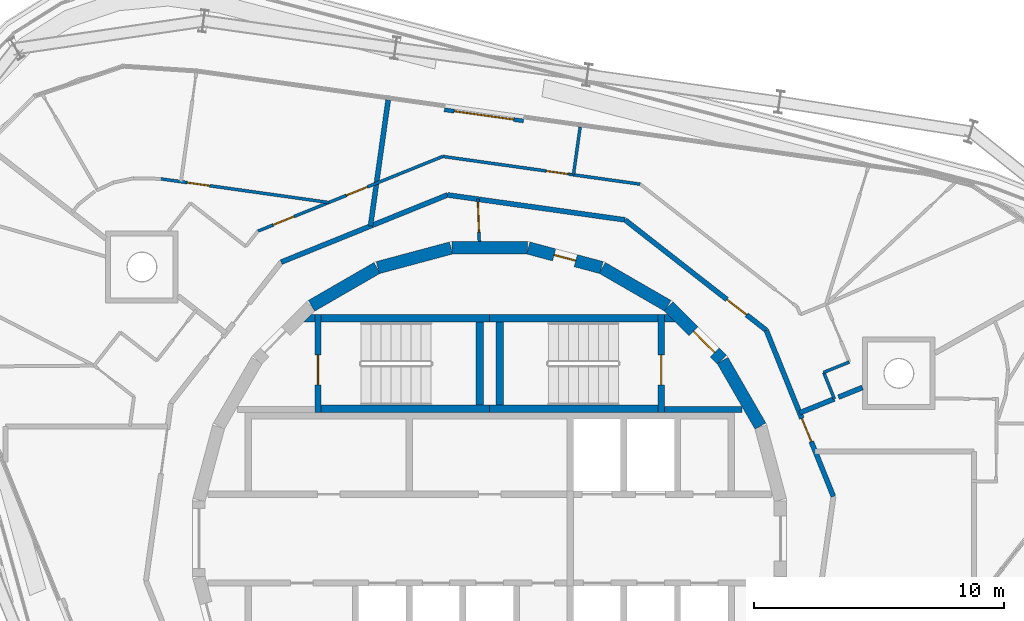
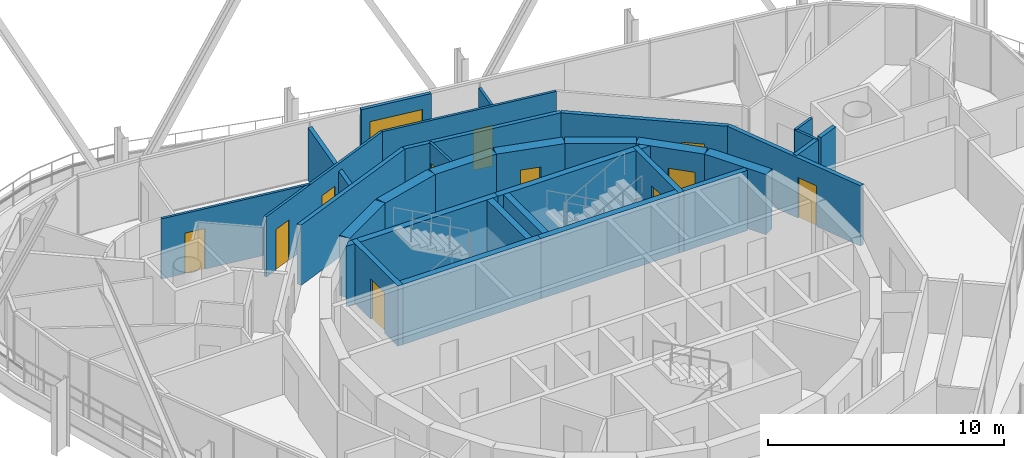
# One storey, part 13 of 17: 33 walls, 12 doors, 12 openings.
"""IFC4 building model written with IfcOpenShell, lengths in metres."""

from ifc_helpers import new_model, si_unit, direction, frame, frame_2d, origin, place, context, subcontext, project, spatial, polyline, rectangle, outline, extrude, material, layer, layer_set, type_object, element, fill, save


model = new_model("IFC4")

# Units and contexts
model_context = context("Model", 3, precision=1e-05, world=origin(), true_north=direction((0.0, 1.0)))
body_context = subcontext(model_context, "Body", "Model", "MODEL_VIEW")
ifc_project = project(units=[si_unit("LENGTHUNIT", "METRE"), si_unit("AREAUNIT", "SQUARE_METRE"), si_unit("VOLUMEUNIT", "CUBIC_METRE"), si_unit("PLANEANGLEUNIT", "RADIAN"), si_unit("MASSUNIT", "GRAM", prefix="KILO")], contexts=[model_context])

# Site, building, storey
site_placement = place(None, origin())
site = spatial("IfcSite", under=ifc_project, at=site_placement, CompositionType="ELEMENT")
building_placement = place(site_placement, origin())
building = spatial("IfcBuilding", under=site, at=building_placement, Name="Spindle Arch Residences", CompositionType="ELEMENT")
storey_placement = place(building_placement, frame((0.0, 0.0, 333.0)))
storey = spatial("IfcBuildingStorey", under=building, at=storey_placement, Name="L85", CompositionType="ELEMENT", Elevation=333.0)

# Wall
ifc_material_1 = material(Name="Concrete C50/60", Category="concrete")
ifc_layer_1 = layer(ifc_material_1, 0.5)
ifc_layer_set_1 = layer_set([ifc_layer_1], Name="Core outline wall 500")
wall_type_1 = type_object("IfcWallType", Name="Core outline wall 500", PredefinedType="SHEAR", material=ifc_layer_set_1)
wall_1_placement = place(storey_placement, frame((10.84521484375, 4.510498046875, 0.0), z_axis=(0.0, 0.0, 1.0), x_axis=(-0.500087131594, 0.865975092491, 0.0)))
element("IfcWall", 1, at=wall_1_placement, inside=storey, type_object=wall_type_1, Name="Core outline wall 8", PredefinedType="SHEAR", context=body_context, shape_type="SweptSolid", body=[
    extrude(rectangle(XDim=3.03271484375, YDim=0.5, at=frame_2d((1.516357421875, 0.0))), origin(), (0.0, 0.0, 1.0), 3.1201171875),
])

# Wall, opening, door
wall_2_placement = place(storey_placement, frame((9.30810546875, 7.163818359375, 0.0), z_axis=(0.0, 0.0, 1.0), x_axis=(-0.707106781187, 0.707106781187, 0.0)))
wall_2 = element("IfcWall", 2, at=wall_2_placement, inside=storey, type_object=wall_type_1, Name="Core outline wall 9", PredefinedType="SHEAR", context=body_context, shape_type="SweptSolid", body=[
    extrude(rectangle(XDim=3.032470703125, YDim=0.5, at=frame_2d((1.51611328125, 0.0))), origin(), (0.0, 0.0, 1.0), 3.1201171875),
])
opening_1_placement = place(wall_2_placement, frame((0.416259765625, 0.0, 0.0)))
opening_1 = element("IfcOpeningElement", 3, at=opening_1_placement, cuts=wall_2, Name="Opening R9A0-AD01", PredefinedType="OPENING", context=body_context, shape_type="SweptSolid", body=[
    extrude(rectangle(XDim=1.199951171875, YDim=2.10009765625, at=frame_2d((0.60009765625, 1.050048828125))), frame((0.0, 0.260009765625, 0.0), z_axis=(0.0, -1.0, 0.0), x_axis=(1.0, 0.0, 0.0)), (0.0, 0.0, 1.0), 0.52001953125),
])
ifc_material_2 = material(Name="Steel, fire-resisting door", Category="steel")
door_type_1 = type_object("IfcDoorType", Name="Stair airlock door 1200x2100", OperationType="SINGLE_SWING_LEFT", PredefinedType="DOOR", material=ifc_material_2)
door_1_placement = place(opening_1_placement, origin())
door_1 = element("IfcDoor", 4, at=door_1_placement, inside=storey, type_object=door_type_1, Name="Stair airlock door R9A0-AD01", OperationType="SINGLE_SWING_RIGHT", OverallHeight=2.10009765625, OverallWidth=1.199951171875, PredefinedType="DOOR", context=body_context, shape_type="SweptSolid", body=[
    extrude(rectangle(XDim=1.199951171875, YDim=2.10009765625, at=frame_2d((0.60009765625, 1.050048828125))), frame((0.0, 0.02490234375, 0.0), z_axis=(0.0, -1.0, 0.0), x_axis=(1.0, 0.0, 0.0)), (0.0, 0.0, 1.0), 0.050048828125),
])
fill(opening_1, door_1)

# Wall
wall_3_placement = place(storey_placement, frame((7.13671875, 9.32861328125, 0.0), z_axis=(0.0, 0.0, 1.0), x_axis=(-0.865975092491, 0.500087131594, 0.0)))
element("IfcWall", 5, at=wall_3_placement, inside=storey, type_object=wall_type_1, Name="Core outline wall 10", PredefinedType="SHEAR", context=body_context, shape_type="SweptSolid", body=[
    extrude(rectangle(XDim=3.03271484375, YDim=0.5, at=frame_2d((1.516357421875, 0.0))), origin(), (0.0, 0.0, 1.0), 3.1201171875),
])

# Wall, opening, door
wall_4_placement = place(storey_placement, frame((4.479248046875, 10.858154296875, 0.0), z_axis=(0.0, 0.0, 1.0), x_axis=(-0.965948410781, 0.258734743916, 0.0)))
wall_4 = element("IfcWall", 6, at=wall_4_placement, inside=storey, type_object=wall_type_1, Name="Core outline wall 11", PredefinedType="SHEAR", context=body_context, shape_type="SweptSolid", body=[
    extrude(rectangle(XDim=3.03271484375, YDim=0.5, at=frame_2d((1.516357421875, 0.0))), origin(), (0.0, 0.0, 1.0), 3.1201171875),
])
opening_2_placement = place(wall_4_placement, frame((1.066162109375, 0.0, 0.0)))
opening_2 = element("IfcOpeningElement", 7, at=opening_2_placement, cuts=wall_4, Name="Opening R9A0-WD11", PredefinedType="OPENING", context=body_context, shape_type="SweptSolid", body=[
    extrude(rectangle(XDim=0.89990234375, YDim=2.10009765625, at=frame_2d((0.449951171875, 1.050048828125))), frame((0.0, 0.260009765625, 0.0), z_axis=(0.0, -1.0, 0.0), x_axis=(1.0, 0.0, 0.0)), (0.0, 0.0, 1.0), 0.52001953125),
])
ifc_material_3 = material(Name="Steel, fire-resisting door", Category="steel")
door_type_2 = type_object("IfcDoorType", Name="Service room door 900x2100", OperationType="SINGLE_SWING_LEFT", PredefinedType="DOOR", material=ifc_material_3)
door_2_placement = place(opening_2_placement, origin())
door_2 = element("IfcDoor", 8, at=door_2_placement, inside=storey, type_object=door_type_2, Name="Service room door R9A0-WD11", OperationType="SINGLE_SWING_LEFT", OverallHeight=2.10009765625, OverallWidth=0.89990234375, PredefinedType="DOOR", context=body_context, shape_type="SweptSolid", body=[
    extrude(rectangle(XDim=0.89990234375, YDim=2.10009765625, at=frame_2d((0.449951171875, 1.050048828125))), frame((0.0, 0.02490234375, 0.0), z_axis=(0.0, -1.0, 0.0), x_axis=(1.0, 0.0, 0.0)), (0.0, 0.0, 1.0), 0.050048828125),
])
fill(opening_2, door_2)

# Walls
for number, where, z_axis, x_axis, name in (
    (9, (1.516357421875, 11.647216796875, 0.0), (0.0, 0.0, 1.0), (-1.0, 0.0, 0.0), "Core outline wall 12"),
    (10, (-1.5498046875, 11.642822265625, 0.0), (0.0, 0.0, 1.0), (-0.965948410781, -0.258734743916, 0.0), "Core outline wall 13"),
    (11, (-4.510498046875, 10.84521484375, 0.0), (0.0, 0.0, 1.0), (-0.865975092491, -0.500087131594, 0.0), "Core outline wall 14"),
):
    element("IfcWall", number, at=place(storey_placement, frame(where, z_axis=z_axis, x_axis=x_axis)), inside=storey, type_object=wall_type_1, Name=name, PredefinedType="SHEAR", context=body_context, shape_type="SweptSolid", body=[
        extrude(rectangle(XDim=3.03271484375, YDim=0.5, at=frame_2d((1.516357421875, 0.0))), origin(), (0.0, 0.0, 1.0), 3.1201171875),
    ])

# Wall, opening, door
ifc_material_4 = material(Name="Plasterboard on steel studs", Category="steel")
ifc_layer_2 = layer(ifc_material_4, 0.1201171875)
ifc_layer_set_2 = layer_set([ifc_layer_2], Name="Corridor division wall 120")
wall_type_2 = type_object("IfcWallType", Name="Corridor division wall 120", PredefinedType="PARTITIONING", material=ifc_layer_set_2)
wall_5_placement = place(storey_placement, frame((-0.474853515625, 13.598388671875, 0.0), z_axis=(0.0, 0.0, 1.0), x_axis=(0.034852521429, -0.999392466326, 0.0)))
wall_5 = element("IfcWall", 12, at=wall_5_placement, inside=storey, type_object=wall_type_2, Name="Corridor division wall R9A0-W001", PredefinedType="PARTITIONING", context=body_context, shape_type="SweptSolid", body=[
    extrude(rectangle(XDim=1.7021484375, YDim=0.1201171875, at=frame_2d((0.85107421875, 0.0))), origin(), (0.0, 0.0, 1.0), 3.1201171875),
])
opening_3_placement = place(wall_5_placement, frame((0.1201171875, 0.0, 0.0)))
opening_3 = element("IfcOpeningElement", 13, at=opening_3_placement, cuts=wall_5, Name="Opening R9A0-CD01", PredefinedType="OPENING", context=body_context, shape_type="SweptSolid", body=[
    extrude(rectangle(XDim=1.199951171875, YDim=2.10009765625, at=frame_2d((0.60009765625, 1.050048828125))), frame((0.0, 0.070068359375, 0.0), z_axis=(0.0, -1.0, 0.0), x_axis=(1.0, 0.0, 0.0)), (0.0, 0.0, 1.0), 0.14013671875),
])
ifc_material_5 = material(Name="Steel, fire-resisting door", Category="steel")
door_type_3 = type_object("IfcDoorType", Name="Corridor division door 1200x2100", OperationType="NOTDEFINED", PredefinedType="DOOR", material=ifc_material_5)
door_3_placement = place(opening_3_placement, origin())
door_3 = element("IfcDoor", 14, at=door_3_placement, inside=storey, type_object=door_type_3, Name="Corridor division door R9A0-CD01", OperationType="DOUBLE_DOOR_SINGLE_SWING", OverallHeight=2.10009765625, OverallWidth=1.199951171875, PredefinedType="DOOR", context=body_context, shape_type="SweptSolid", body=[
    extrude(rectangle(XDim=1.199951171875, YDim=2.10009765625, at=frame_2d((0.60009765625, 1.050048828125))), frame((0.0, 0.02490234375, 0.0), z_axis=(0.0, -1.0, 0.0), x_axis=(1.0, 0.0, 0.0)), (0.0, 0.0, 1.0), 0.050048828125),
])
fill(opening_3, door_3)

ifc_material_6 = material(Name="Calcium silicate block, plastered")
ifc_layer_3 = layer(ifc_material_6, 0.199951171875)
ifc_layer_set_3 = layer_set([ifc_layer_3], Name="Corridor wall 200")
wall_type_3 = type_object("IfcWallType", Name="Corridor wall 200", PredefinedType="STANDARD", material=ifc_layer_set_3)
wall_6_placement = place(storey_placement, frame((11.0791015625, 8.348876953125, 0.0), z_axis=(0.0, 0.0, 1.0), x_axis=(-0.78800478687, 0.615669112324, 0.0)))
wall_6 = element("IfcWall", 15, at=wall_6_placement, inside=storey, type_object=wall_type_3, Name="Corridor wall R9A0-W006", PredefinedType="STANDARD", context=body_context, shape_type="SweptSolid", body=[
    extrude(rectangle(XDim=7.18115234375, YDim=0.199951171875, at=frame_2d((3.590576171875, 0.0))), origin(), (0.0, 0.0, 1.0), 3.1201171875),
])
opening_4_placement = place(wall_6_placement, frame((1.0, 0.0, 0.0)))
opening_4 = element("IfcOpeningElement", 16, at=opening_4_placement, cuts=wall_6, Name="Opening R9A0-FD02", PredefinedType="OPENING", context=body_context, shape_type="SweptSolid", body=[
    extrude(rectangle(XDim=1.0, YDim=2.10009765625, at=frame_2d((0.5, 1.050048828125))), frame((0.0, 0.10986328125, 0.0), z_axis=(0.0, -1.0, 0.0), x_axis=(1.0, 0.0, 0.0)), (0.0, 0.0, 1.0), 0.219970703125),
])
ifc_material_7 = material(Name="Timber, fire-resisting door set", Category="wood")
door_type_4 = type_object("IfcDoorType", Name="Flat entrance door 1000x2100", OperationType="NOTDEFINED", PredefinedType="DOOR", material=ifc_material_7)
door_4_placement = place(opening_4_placement, origin())
door_4 = element("IfcDoor", 17, at=door_4_placement, inside=storey, type_object=door_type_4, Name="Flat entrance door R9A0-FD02", OperationType="SINGLE_SWING_LEFT", OverallHeight=2.10009765625, OverallWidth=1.0, PredefinedType="DOOR", context=body_context, shape_type="SweptSolid", body=[
    extrude(rectangle(XDim=1.0, YDim=2.10009765625, at=frame_2d((0.5, 1.050048828125))), frame((0.0, 0.02490234375, 0.0), z_axis=(0.0, -1.0, 0.0), x_axis=(1.0, 0.0, 0.0)), (0.0, 0.0, 1.0), 0.050048828125),
])
fill(opening_4, door_4)

# Walls
wall_7_placement = place(storey_placement, frame((5.42041015625, 12.77001953125, 0.0), z_axis=(0.0, 0.0, 1.0), x_axis=(-0.990270565508, 0.139155334385, 0.0)))
element("IfcWall", 18, at=wall_7_placement, inside=storey, type_object=wall_type_3, Name="Corridor wall R9A0-W007", PredefinedType="STANDARD", context=body_context, shape_type="SweptSolid", body=[
    extrude(rectangle(XDim=7.180908203125, YDim=0.199951171875, at=frame_2d((3.59033203125, 0.0))), origin(), (0.0, 0.0, 1.0), 3.1201171875),
])
wall_8_placement = place(storey_placement, frame((-1.690673828125, 13.769287109375, 0.0), z_axis=(0.0, 0.0, 1.0), x_axis=(-0.92717916932, -0.374618189599, 0.0)))
element("IfcWall", 19, at=wall_8_placement, inside=storey, type_object=wall_type_3, Name="Corridor wall R9A0-W011", PredefinedType="STANDARD", context=body_context, shape_type="SweptSolid", body=[
    extrude(rectangle(XDim=7.18115234375, YDim=0.199951171875, at=frame_2d((3.590576171875, 0.0))), origin(), (0.0, 0.0, 1.0), 3.1201171875),
])

# Wall, opening, door
ifc_material_8 = material(Name="Calcium silicate block, plastered")
ifc_layer_4 = layer(ifc_material_8, 0.199951171875)
ifc_layer_set_4 = layer_set([ifc_layer_4], Name="Fire-lift lobby bay wall 200")
wall_type_4 = type_object("IfcWallType", Name="Fire-lift lobby bay wall 200", PredefinedType="STANDARD", material=ifc_layer_set_4)
wall_9_placement = place(storey_placement, frame((13.769287109375, 1.690673828125, 0.0), z_axis=(0.0, 0.0, 1.0), x_axis=(-0.374618189599, 0.92717916932, 0.0)))
wall_9 = element("IfcWall", 20, at=wall_9_placement, inside=storey, type_object=wall_type_4, Name="Fire-lift lobby bay wall R9A0-W005", PredefinedType="STANDARD", context=body_context, shape_type="SweptSolid", body=[
    extrude(rectangle(XDim=7.18115234375, YDim=0.199951171875, at=frame_2d((3.590576171875, 0.0))), origin(), (0.0, 0.0, 1.0), 3.1201171875),
])
opening_5_placement = place(wall_9_placement, frame((2.37060546875, 0.0, 0.0)))
opening_5 = element("IfcOpeningElement", 21, at=opening_5_placement, cuts=wall_9, Name="Opening R9A0-FD01", PredefinedType="OPENING", context=body_context, shape_type="SweptSolid", body=[
    extrude(rectangle(XDim=1.0, YDim=2.10009765625, at=frame_2d((0.5, 1.050048828125))), frame((0.0, 0.10986328125, 0.0), z_axis=(0.0, -1.0, 0.0), x_axis=(1.0, 0.0, 0.0)), (0.0, 0.0, 1.0), 0.219970703125),
])
door_5_placement = place(opening_5_placement, origin())
door_5 = element("IfcDoor", 22, at=door_5_placement, inside=storey, type_object=door_type_4, Name="Flat entrance door R9A0-FD01", OperationType="SINGLE_SWING_LEFT", OverallHeight=2.10009765625, OverallWidth=1.0, PredefinedType="DOOR", context=body_context, shape_type="SweptSolid", body=[
    extrude(rectangle(XDim=1.0, YDim=2.10009765625, at=frame_2d((0.5, 1.050048828125))), frame((0.0, 0.02490234375, 0.0), z_axis=(0.0, -1.0, 0.0), x_axis=(1.0, 0.0, 0.0)), (0.0, 0.0, 1.0), 0.050048828125),
])
fill(opening_5, door_5)

# Walls
ifc_material_9 = material(Name="Plasterboard on steel studs", Category="steel")
ifc_layer_5 = layer(ifc_material_9, 0.1201171875)
ifc_layer_set_5 = layer_set([ifc_layer_5], Name="Flat partition 120")
wall_type_5 = type_object("IfcWallType", Name="Flat partition 120", PredefinedType="PARTITIONING", material=ifc_layer_set_5)
wall_10_placement = place(storey_placement, frame((13.80712890625, 5.60107421875, 0.0), z_axis=(0.0, 0.0, 1.0), x_axis=(-0.374480699852, 0.927234708927, 0.0)))
element("IfcWall", 23, at=wall_10_placement, inside=storey, type_object=wall_type_5, Name="Flat partition R9A0-W041", PredefinedType="PARTITIONING", context=body_context, shape_type="SweptSolid", body=[
    extrude(rectangle(XDim=1.1435546875, YDim=0.1201171875, at=frame_2d((0.57177734375, 0.0))), origin(), (0.0, 0.0, 1.0), 3.1201171875),
])
wall_11_placement = place(storey_placement, frame((13.37890625, 6.661376953125, 0.0), z_axis=(0.0, 0.0, 1.0), x_axis=(0.927225655522, 0.374503115797, 0.0)))
element("IfcWall", 24, at=wall_11_placement, inside=storey, type_object=wall_type_5, Name="Flat partition R9A0-W042", PredefinedType="PARTITIONING", context=body_context, shape_type="SweptSolid", body=[
    extrude(rectangle(XDim=1.108154296875, YDim=0.1201171875, at=frame_2d((0.55419921875, 0.0))), origin(), (0.0, 0.0, 1.0), 3.1201171875),
])

# Wall, opening, door
wall_12_placement = place(storey_placement, frame((6.02734375, 14.199462890625, 0.0), z_axis=(0.0, 0.0, 1.0), x_axis=(-0.990271593532, 0.139148018469, 0.0)))
wall_12 = element("IfcWall", 25, at=wall_12_placement, inside=storey, type_object=wall_type_5, Name="Flat partition R9A0-W047", PredefinedType="PARTITIONING", context=body_context, shape_type="SweptSolid", body=[
    extrude(rectangle(XDim=7.98486328125, YDim=0.1201171875, at=frame_2d((3.992431640625, 0.0))), origin(), (0.0, 0.0, 1.0), 3.1201171875),
])
opening_6_placement = place(wall_12_placement, frame((2.898193359375, 0.0, 0.0)))
opening_6 = element("IfcOpeningElement", 26, at=opening_6_placement, cuts=wall_12, Name="Opening R9A0-ID06", PredefinedType="OPENING", context=body_context, shape_type="SweptSolid", body=[
    extrude(rectangle(XDim=0.89990234375, YDim=2.10009765625, at=frame_2d((0.449951171875, 1.050048828125))), frame((0.0, 0.070068359375, 0.0), z_axis=(0.0, -1.0, 0.0), x_axis=(1.0, 0.0, 0.0)), (0.0, 0.0, 1.0), 0.14013671875),
])
ifc_material_10 = material(Name="Timber door set", Category="wood")
door_type_5 = type_object("IfcDoorType", Name="Room door 900x2100", OperationType="NOTDEFINED", PredefinedType="DOOR", material=ifc_material_10)
door_6_placement = place(opening_6_placement, origin())
door_6 = element("IfcDoor", 27, at=door_6_placement, inside=storey, type_object=door_type_5, Name="Room door R9A0-ID06", OperationType="SINGLE_SWING_LEFT", OverallHeight=2.10009765625, OverallWidth=0.89990234375, PredefinedType="DOOR", context=body_context, shape_type="SweptSolid", body=[
    extrude(rectangle(XDim=0.89990234375, YDim=2.10009765625, at=frame_2d((0.449951171875, 1.050048828125))), frame((0.0, 0.02490234375, 0.0), z_axis=(0.0, -1.0, 0.0), x_axis=(1.0, 0.0, 0.0)), (0.0, 0.0, 1.0), 0.050048828125),
])
fill(opening_6, door_6)

# Wall, openings, doors
wall_13_placement = place(storey_placement, frame((-1.8798828125, 15.310546875, 0.0), z_axis=(0.0, 0.0, 1.0), x_axis=(-0.927184866592, -0.374604088557, 0.0)))
wall_13 = element("IfcWall", 28, at=wall_13_placement, inside=storey, type_object=wall_type_5, Name="Flat partition R9A0-W048", PredefinedType="PARTITIONING", context=body_context, shape_type="SweptSolid", body=[
    extrude(rectangle(XDim=7.985107421875, YDim=0.1201171875, at=frame_2d((3.99267578125, 0.0))), origin(), (0.0, 0.0, 1.0), 3.1201171875),
])
opening_7_placement = place(wall_13_placement, frame((3.26220703125, 0.0, 0.0)))
opening_7 = element("IfcOpeningElement", 29, at=opening_7_placement, cuts=wall_13, Name="Opening R9A0-ID08", PredefinedType="OPENING", context=body_context, shape_type="SweptSolid", body=[
    extrude(rectangle(XDim=0.89990234375, YDim=2.10009765625, at=frame_2d((0.449951171875, 1.050048828125))), frame((0.0, 0.070068359375, 0.0), z_axis=(0.0, -1.0, 0.0), x_axis=(1.0, 0.0, 0.0)), (0.0, 0.0, 1.0), 0.14013671875),
])
opening_8_placement = place(wall_13_placement, frame((6.423095703125, 0.0, 0.0)))
opening_8 = element("IfcOpeningElement", 30, at=opening_8_placement, cuts=wall_13, Name="Opening R9A0-ID09", PredefinedType="OPENING", context=body_context, shape_type="SweptSolid", body=[
    extrude(rectangle(XDim=0.89990234375, YDim=2.10009765625, at=frame_2d((0.449951171875, 1.050048828125))), frame((0.0, 0.070068359375, 0.0), z_axis=(0.0, -1.0, 0.0), x_axis=(1.0, 0.0, 0.0)), (0.0, 0.0, 1.0), 0.14013671875),
])
door_7_placement = place(opening_7_placement, origin())
door_7 = element("IfcDoor", 31, at=door_7_placement, inside=storey, type_object=door_type_5, Name="Room door R9A0-ID08", OperationType="SINGLE_SWING_RIGHT", OverallHeight=2.10009765625, OverallWidth=0.89990234375, PredefinedType="DOOR", context=body_context, shape_type="SweptSolid", body=[
    extrude(rectangle(XDim=0.89990234375, YDim=2.10009765625, at=frame_2d((0.449951171875, 1.050048828125))), frame((0.0, 0.02490234375, 0.0), z_axis=(0.0, -1.0, 0.0), x_axis=(1.0, 0.0, 0.0)), (0.0, 0.0, 1.0), 0.050048828125),
])
fill(opening_7, door_7)
door_8_placement = place(opening_8_placement, origin())
door_8 = element("IfcDoor", 32, at=door_8_placement, inside=storey, type_object=door_type_5, Name="Room door R9A0-ID09", OperationType="SINGLE_SWING_RIGHT", OverallHeight=2.10009765625, OverallWidth=0.89990234375, PredefinedType="DOOR", context=body_context, shape_type="SweptSolid", body=[
    extrude(rectangle(XDim=0.89990234375, YDim=2.10009765625, at=frame_2d((0.449951171875, 1.050048828125))), frame((0.0, 0.02490234375, 0.0), z_axis=(0.0, -1.0, 0.0), x_axis=(1.0, 0.0, 0.0)), (0.0, 0.0, 1.0), 0.050048828125),
])
fill(opening_8, door_8)

# Wall, opening, door
wall_14_placement = place(storey_placement, frame((-13.1748046875, 14.412353515625, 0.0), z_axis=(0.0, 0.0, 1.0), x_axis=(0.990264549393, -0.139198140128, 0.0)))
wall_14 = element("IfcWall", 33, at=wall_14_placement, inside=storey, type_object=wall_type_5, Name="Flat partition R9A0-W057", PredefinedType="PARTITIONING", context=body_context, shape_type="SweptSolid", body=[
    extrude(rectangle(XDim=6.79638671875, YDim=0.1201171875, at=frame_2d((3.398193359375, 0.0))), origin(), (0.0, 0.0, 1.0), 3.1201171875),
])
opening_9_placement = place(wall_14_placement, frame((1.075439453125, 0.0, 0.0)))
opening_9 = element("IfcOpeningElement", 34, at=opening_9_placement, cuts=wall_14, Name="Opening R9A0-ID11", PredefinedType="OPENING", context=body_context, shape_type="SweptSolid", body=[
    extrude(rectangle(XDim=0.89990234375, YDim=2.10009765625, at=frame_2d((0.449951171875, 1.050048828125))), frame((0.0, 0.070068359375, 0.0), z_axis=(0.0, -1.0, 0.0), x_axis=(1.0, 0.0, 0.0)), (0.0, 0.0, 1.0), 0.14013671875),
])
door_9_placement = place(opening_9_placement, origin())
door_9 = element("IfcDoor", 35, at=door_9_placement, inside=storey, type_object=door_type_5, Name="Room door R9A0-ID11", OperationType="SINGLE_SWING_LEFT", OverallHeight=2.10009765625, OverallWidth=0.89990234375, PredefinedType="DOOR", context=body_context, shape_type="SweptSolid", body=[
    extrude(rectangle(XDim=0.89990234375, YDim=2.10009765625, at=frame_2d((0.449951171875, 1.050048828125))), frame((0.0, 0.02490234375, 0.0), z_axis=(0.0, -1.0, 0.0), x_axis=(1.0, 0.0, 0.0)), (0.0, 0.0, 1.0), 0.050048828125),
])
fill(opening_9, door_9)

# Walls
ifc_material_11 = material(Name="Plasterboard on steel studs", Category="steel")
ifc_layer_6 = layer(ifc_material_11, 0.1201171875)
ifc_layer_set_6 = layer_set([ifc_layer_6], Name="Flat partition 120 under beam 2730")
wall_type_6 = type_object("IfcWallType", Name="Flat partition 120 under beam 2730", PredefinedType="PARTITIONING", material=ifc_layer_set_6)
wall_15_placement = place(storey_placement, frame((3.625, 16.494384765625, 0.0), z_axis=(0.0, 0.0, 1.0), x_axis=(-0.139181494832, -0.990266889023, 0.0)))
element("IfcWall", 36, at=wall_15_placement, inside=storey, type_object=wall_type_6, Name="Flat partition R9A0-W052", PredefinedType="PARTITIONING", context=body_context, shape_type="SweptSolid", body=[
    extrude(rectangle(XDim=1.938232421875, YDim=0.1201171875, at=frame_2d((0.96923828125, 0.0))), origin(), (0.0, 0.0, 1.0), 2.72998046875),
])
ifc_material_12 = material(Name="Calcium silicate block, plastered")
ifc_layer_7 = layer(ifc_material_12, 0.199951171875)
ifc_layer_set_7 = layer_set([ifc_layer_7], Name="Flat party wall 200")
wall_type_7 = type_object("IfcWallType", Name="Flat party wall 200", PredefinedType="STANDARD", material=ifc_layer_set_7)
wall_16_placement = place(storey_placement, frame((13.80712890625, 5.60107421875, 0.0), z_axis=(0.0, 0.0, 1.0), x_axis=(-0.927202702405, -0.374559939999, 0.0)))
element("IfcWall", 37, at=wall_16_placement, inside=storey, type_object=wall_type_7, Name="Flat party wall R9A0-W023", PredefinedType="STANDARD", context=body_context, shape_type="SweptSolid", body=[
    extrude(rectangle(XDim=1.499755859375, YDim=0.199951171875, at=frame_2d((0.75, 0.0))), origin(), (0.0, 0.0, 1.0), 3.1201171875),
])
wall_17_placement = place(storey_placement, frame((14.93359375, 6.05615234375, 0.0), z_axis=(0.0, 0.0, 1.0), x_axis=(-0.927219802432, -0.374517607032, 0.0)))
element("IfcWall", 38, at=wall_17_placement, inside=storey, type_object=wall_type_7, Name="Flat party wall R9A0-W024", PredefinedType="STANDARD", context=body_context, shape_type="SweptSolid", body=[
    extrude(rectangle(XDim=1.035888671875, YDim=0.199951171875, at=frame_2d((0.51806640625, 0.0))), origin(), (0.0, 0.0, 1.0), 3.1201171875),
])
ifc_material_13 = material(Name="Calcium silicate block, plastered")
ifc_layer_8 = layer(ifc_material_13, 0.199951171875)
ifc_layer_set_8 = layer_set([ifc_layer_8], Name="Flat party wall 200 under beam 2730")
wall_type_8 = type_object("IfcWallType", Name="Flat party wall 200 under beam 2730", PredefinedType="STANDARD", material=ifc_layer_set_8)
wall_18_placement = place(storey_placement, frame((-4.06494140625, 17.5751953125, 0.0), z_axis=(0.0, 0.0, 1.0), x_axis=(-0.139163175955, -0.990269463559, 0.0)))
element("IfcWall", 39, at=wall_18_placement, inside=storey, type_object=wall_type_8, Name="Flat party wall R9A0-W026", PredefinedType="STANDARD", context=body_context, shape_type="SweptSolid", body=[
    extrude(rectangle(XDim=5.1015625, YDim=0.199951171875, at=frame_2d((2.55078125, 0.0))), origin(), (0.0, 0.0, 1.0), 2.72998046875),
])

# Wall, opening, door
ifc_material_14 = material(Name="Non-combustible mineral wool insulated aluminium faced external wall (K0)", Category="aluminium")
ifc_layer_9 = layer(ifc_material_14, 0.159912109375)
ifc_layer_set_9 = layer_set([ifc_layer_9], Name="Insulated external wall panel 160")
wall_type_9 = type_object("IfcWallType", Name="Insulated external wall panel 160", PredefinedType="STANDARD", material=ifc_layer_set_9)
wall_19_placement = place(storey_placement, frame((1.353515625, 16.73291015625, 0.0), z_axis=(0.0, 0.0, 1.0), x_axis=(-0.990270382149, 0.139156639217, 0.0)))
wall_19 = element("IfcWall", 40, at=wall_19_placement, inside=storey, type_object=wall_type_9, Name="External wall L85 bay 7", PredefinedType="STANDARD", context=body_context, shape_type="SweptSolid", body=[
    extrude(rectangle(XDim=3.2001953125, YDim=0.159912109375, at=frame_2d((1.60009765625, 0.0))), origin(), (0.0, 0.0, 1.0), 3.1201171875),
])
opening_10_placement = place(wall_19_placement, frame((0.39990234375, 0.0, 0.0)))
opening_10 = element("IfcOpeningElement", 41, at=opening_10_placement, cuts=wall_19, Name="Opening BD07", PredefinedType="OPENING", context=body_context, shape_type="SweptSolid", body=[
    extrude(rectangle(XDim=2.39990234375, YDim=2.39990234375, at=frame_2d((1.199951171875, 1.199951171875))), frame((0.0, 0.08984375, 0.0), z_axis=(0.0, -1.0, 0.0), x_axis=(1.0, 0.0, 0.0)), (0.0, 0.0, 1.0), 0.179931640625),
])
ifc_material_15 = material(Name="Bronze aluminium frame, tinted double glazing", Category="aluminium")
door_type_6 = type_object("IfcDoorType", Name="Sliding glazed balcony door 2400x2400", OperationType="DOUBLE_DOOR_SLIDING", PredefinedType="DOOR", material=ifc_material_15)
door_10_placement = place(opening_10_placement, origin())
door_10 = element("IfcDoor", 42, at=door_10_placement, inside=storey, type_object=door_type_6, Name="Balcony door BD07", OperationType="DOUBLE_DOOR_SLIDING", OverallHeight=2.39990234375, OverallWidth=2.39990234375, PredefinedType="DOOR", context=body_context, shape_type="SweptSolid", body=[
    extrude(rectangle(XDim=2.39990234375, YDim=2.39990234375, at=frame_2d((1.199951171875, 1.199951171875))), frame((0.0, 0.02490234375, 0.0), z_axis=(0.0, -1.0, 0.0), x_axis=(1.0, 0.0, 0.0)), (0.0, 0.0, 1.0), 0.050048828125),
])
fill(opening_10, door_10)

# Walls
ifc_material_16 = material(Name="Concrete C40/50", Category="concrete")
ifc_layer_10 = layer(ifc_material_16, 0.25)
ifc_layer_set_10 = layer_set([ifc_layer_10], Name="Stair airlock wall 250")
wall_type_10 = type_object("IfcWallType", Name="Stair airlock wall 250", PredefinedType="SHEAR", material=ifc_layer_set_10)
wall_20_placement = place(storey_placement, frame((7.0, 5.175048828125, 0.0), z_axis=(0.0, 0.0, 1.0), x_axis=(1.0, 0.0, 0.0)))
element("IfcWall", 43, at=wall_20_placement, inside=storey, type_object=wall_type_10, Name="Stair ST-1 airlock wall S", PredefinedType="SHEAR", context=body_context, shape_type="SweptSolid", body=[
    extrude(rectangle(XDim=3.10009765625, YDim=0.25, at=frame_2d((1.550048828125, 0.0))), origin(), (0.0, 0.0, 1.0), 3.1201171875),
])
ifc_material_17 = material(Name="Concrete C40/50", Category="concrete")
wall_type_11 = type_object("IfcWallType", Name="Stair airlock wall profile", PredefinedType="SHEAR", material=ifc_material_17)
wall_21_placement = place(storey_placement, origin())
element("IfcWall", 44, at=wall_21_placement, inside=storey, type_object=wall_type_11, Name="Stair ST-1 airlock wall N", PredefinedType="SHEAR", context=body_context, shape_type="SweptSolid", body=[
    extrude(outline(polyline([(7.4482421875, 8.669921875), (7.0, 8.669921875), (7.0, 8.969970703125), (7.148193359375, 8.969970703125), (7.4482421875, 8.669921875)])), origin(), (0.0, 0.0, 1.0), 3.1201171875),
])
wall_22_placement = place(storey_placement, origin())
element("IfcWall", 45, at=wall_22_placement, inside=storey, type_object=wall_type_11, Name="Stair ST-2 airlock wall N", PredefinedType="SHEAR", context=body_context, shape_type="SweptSolid", body=[
    extrude(outline(polyline([(-7.148193359375, 8.969970703125), (-7.0, 8.969970703125), (-7.0, 8.669921875), (-7.4482421875, 8.669921875), (-7.148193359375, 8.969970703125)])), origin(), (0.0, 0.0, 1.0), 3.1201171875),
])

# Wall, opening, door
ifc_material_18 = material(Name="Concrete C50/60", Category="concrete")
ifc_layer_11 = layer(ifc_material_18, 0.25)
ifc_layer_set_11 = layer_set([ifc_layer_11], Name="Stair enclosure wall 250")
wall_type_12 = type_object("IfcWallType", Name="Stair enclosure wall 250", PredefinedType="SHEAR", material=ifc_layer_set_11)
wall_23_placement = place(storey_placement, frame((6.875, 5.050048828125, 0.0), z_axis=(0.0, 0.0, 1.0), x_axis=(0.0, 1.0, 0.0)))
wall_23 = element("IfcWall", 46, at=wall_23_placement, inside=storey, type_object=wall_type_12, Name="Stair ST-1 door wall", PredefinedType="SHEAR", context=body_context, shape_type="SweptSolid", body=[
    extrude(rectangle(XDim=3.919921875, YDim=0.25, at=frame_2d((1.9599609375, 0.0))), origin(), (0.0, 0.0, 1.0), 3.1201171875),
])
opening_11_placement = place(wall_23_placement, frame((1.110107421875, 0.0, 0.0)))
opening_11 = element("IfcOpeningElement", 47, at=opening_11_placement, cuts=wall_23, Name="Opening R9A0-SD01", PredefinedType="OPENING", context=body_context, shape_type="SweptSolid", body=[
    extrude(rectangle(XDim=1.199951171875, YDim=2.10009765625, at=frame_2d((0.60009765625, 1.050048828125))), frame((0.0, 0.135009765625, 0.0), z_axis=(0.0, -1.0, 0.0), x_axis=(1.0, 0.0, 0.0)), (0.0, 0.0, 1.0), 0.27001953125),
])
ifc_material_19 = material(Name="Steel, fire-resisting door", Category="steel")
door_type_7 = type_object("IfcDoorType", Name="Stair door 1200x2100", OperationType="SINGLE_SWING_RIGHT", PredefinedType="DOOR", material=ifc_material_19)
door_11_placement = place(opening_11_placement, origin())
door_11 = element("IfcDoor", 48, at=door_11_placement, inside=storey, type_object=door_type_7, Name="Stair door R9A0-SD01", OperationType="SINGLE_SWING_LEFT", OverallHeight=2.10009765625, OverallWidth=1.199951171875, PredefinedType="DOOR", context=body_context, shape_type="SweptSolid", body=[
    extrude(rectangle(XDim=1.199951171875, YDim=2.10009765625, at=frame_2d((0.60009765625, 1.050048828125))), frame((0.0, 0.02490234375, 0.0), z_axis=(0.0, -1.0, 0.0), x_axis=(1.0, 0.0, 0.0)), (0.0, 0.0, 1.0), 0.050048828125),
])
fill(opening_11, door_11)

wall_24_placement = place(storey_placement, frame((-6.875, 8.969970703125, 0.0), z_axis=(0.0, 0.0, 1.0), x_axis=(0.0, -1.0, 0.0)))
wall_24 = element("IfcWall", 49, at=wall_24_placement, inside=storey, type_object=wall_type_12, Name="Stair ST-2 door wall", PredefinedType="SHEAR", context=body_context, shape_type="SweptSolid", body=[
    extrude(rectangle(XDim=3.919921875, YDim=0.25, at=frame_2d((1.9599609375, 0.0))), origin(), (0.0, 0.0, 1.0), 3.1201171875),
])
opening_12_placement = place(wall_24_placement, frame((1.610107421875, 0.0, 0.0)))
opening_12 = element("IfcOpeningElement", 50, at=opening_12_placement, cuts=wall_24, Name="Opening R9A0-SD02", PredefinedType="OPENING", context=body_context, shape_type="SweptSolid", body=[
    extrude(rectangle(XDim=1.199951171875, YDim=2.10009765625, at=frame_2d((0.60009765625, 1.050048828125))), frame((0.0, 0.135009765625, 0.0), z_axis=(0.0, -1.0, 0.0), x_axis=(1.0, 0.0, 0.0)), (0.0, 0.0, 1.0), 0.27001953125),
])
door_12_placement = place(opening_12_placement, origin())
door_12 = element("IfcDoor", 51, at=door_12_placement, inside=storey, type_object=door_type_7, Name="Stair door R9A0-SD02", OperationType="SINGLE_SWING_LEFT", OverallHeight=2.10009765625, OverallWidth=1.199951171875, PredefinedType="DOOR", context=body_context, shape_type="SweptSolid", body=[
    extrude(rectangle(XDim=1.199951171875, YDim=2.10009765625, at=frame_2d((0.60009765625, 1.050048828125))), frame((0.0, 0.02490234375, 0.0), z_axis=(0.0, -1.0, 0.0), x_axis=(1.0, 0.0, 0.0)), (0.0, 0.0, 1.0), 0.050048828125),
])
fill(opening_12, door_12)

# Walls
ifc_material_20 = material(Name="Concrete C50/60", Category="concrete")
ifc_layer_12 = layer(ifc_material_20, 0.300048828125)
ifc_layer_set_12 = layer_set([ifc_layer_12], Name="Stair enclosure wall 300")
wall_type_13 = type_object("IfcWallType", Name="Stair enclosure wall 300", PredefinedType="SHEAR", material=ifc_layer_set_12)
for number, where, z_axis, x_axis, name in (
    (52, (0.0, 5.199951171875, 0.0), (0.0, 0.0, 1.0), (1.0, 0.0, 0.0), "Stair ST-1 enclosure wall S"),
    (53, (0.0, 8.820068359375, 0.0), (0.0, 0.0, 1.0), (1.0, 0.0, 0.0), "Stair ST-1 enclosure wall N"),
):
    element("IfcWall", number, at=place(storey_placement, frame(where, z_axis=z_axis, x_axis=x_axis)), inside=storey, type_object=wall_type_13, Name=name, PredefinedType="SHEAR", context=body_context, shape_type="SweptSolid", body=[
        extrude(rectangle(XDim=6.75, YDim=0.300048828125, at=frame_2d((3.375, 0.0))), origin(), (0.0, 0.0, 1.0), 3.1201171875),
    ])
wall_25_placement = place(storey_placement, frame((0.39990234375, 5.35009765625, 0.0), z_axis=(0.0, 0.0, 1.0), x_axis=(0.0, 1.0, 0.0)))
element("IfcWall", 54, at=wall_25_placement, inside=storey, type_object=wall_type_13, Name="Stair ST-1 enclosure wall F", PredefinedType="SHEAR", context=body_context, shape_type="SweptSolid", body=[
    extrude(rectangle(XDim=3.31982421875, YDim=0.300048828125, at=frame_2d((1.659912109375, 0.0))), origin(), (0.0, 0.0, 1.0), 3.1201171875),
])
for number, where, z_axis, x_axis, name in (
    (55, (-6.75, 5.199951171875, 0.0), (0.0, 0.0, 1.0), (1.0, 0.0, 0.0), "Stair ST-2 enclosure wall S"),
    (56, (-6.75, 8.820068359375, 0.0), (0.0, 0.0, 1.0), (1.0, 0.0, 0.0), "Stair ST-2 enclosure wall N"),
):
    element("IfcWall", number, at=place(storey_placement, frame(where, z_axis=z_axis, x_axis=x_axis)), inside=storey, type_object=wall_type_13, Name=name, PredefinedType="SHEAR", context=body_context, shape_type="SweptSolid", body=[
        extrude(rectangle(XDim=6.75, YDim=0.300048828125, at=frame_2d((3.375, 0.0))), origin(), (0.0, 0.0, 1.0), 3.1201171875),
    ])
wall_26_placement = place(storey_placement, frame((-0.39990234375, 5.35009765625, 0.0), z_axis=(0.0, 0.0, 1.0), x_axis=(0.0, 1.0, 0.0)))
element("IfcWall", 57, at=wall_26_placement, inside=storey, type_object=wall_type_13, Name="Stair ST-2 enclosure wall F", PredefinedType="SHEAR", context=body_context, shape_type="SweptSolid", body=[
    extrude(rectangle(XDim=3.31982421875, YDim=0.300048828125, at=frame_2d((1.659912109375, 0.0))), origin(), (0.0, 0.0, 1.0), 3.1201171875),
])

save(model, "model.ifc")
